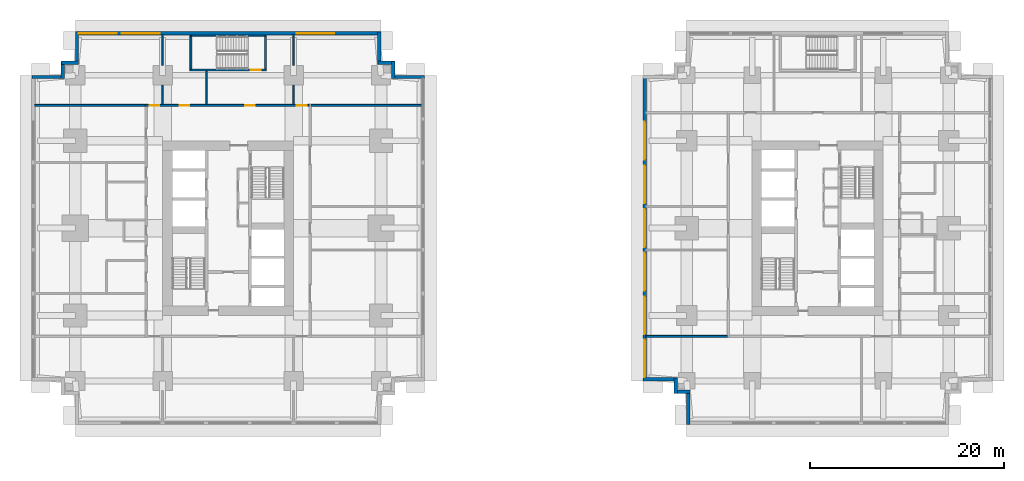
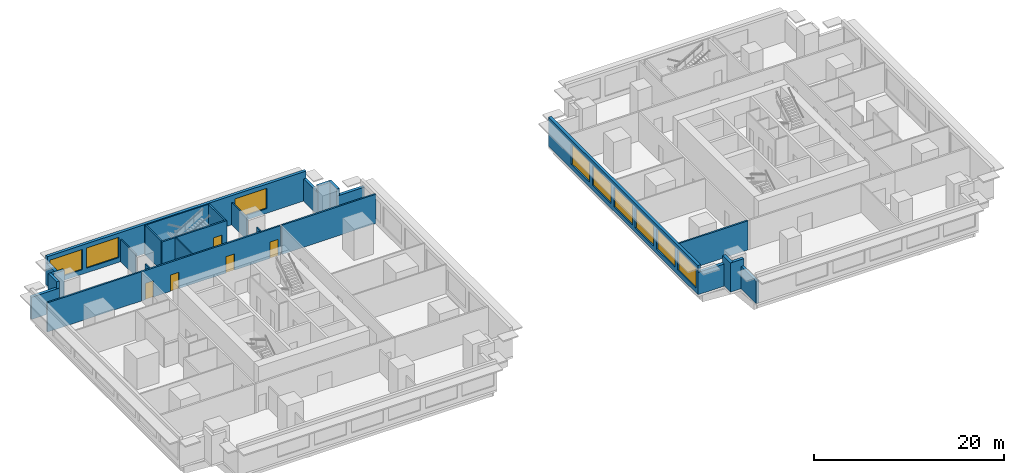
# One storey, part 5 of 11: 27 walls, 9 windows, 5 doors, 14 openings.
"""IFC4 building model written with IfcOpenShell, lengths in metres."""

from ifc_helpers import new_model, si_unit, direction, frame, frame_2d, origin, place, context, subcontext, project, spatial, rectangle, extrude, material, layer, layer_set, type_object, element, fill, save


model = new_model("IFC4")

# Units and contexts
model_context = context("Model", 3, precision=1e-05, world=origin(), true_north=direction((0.0, 1.0)))
body_context = subcontext(model_context, "Body", "Model", "MODEL_VIEW")
ifc_project = project(units=[si_unit("LENGTHUNIT", "METRE"), si_unit("AREAUNIT", "SQUARE_METRE"), si_unit("VOLUMEUNIT", "CUBIC_METRE"), si_unit("PLANEANGLEUNIT", "RADIAN"), si_unit("MASSUNIT", "GRAM", prefix="KILO")], contexts=[model_context])

# Site, building, storey
site_placement = place(None, origin())
site = spatial("IfcSite", under=ifc_project, at=site_placement, CompositionType="ELEMENT")
building_placement = place(site_placement, origin())
building = spatial("IfcBuilding", under=site, at=building_placement, Name="Namib Vertical Campus", CompositionType="ELEMENT")
storey_placement = place(building_placement, frame((0.0, 0.0, 49.0)))
storey = spatial("IfcBuildingStorey", under=building, at=storey_placement, Name="L11", CompositionType="ELEMENT", Elevation=49.0)

# Wall, openings, doors
ifc_material_1 = material(Name="Concrete masonry", Category="masonry")
ifc_layer_1 = layer(ifc_material_1, 0.199951171875)
ifc_layer_set_1 = layer_set([ifc_layer_1], Name="Corridor wall 200")
wall_type_1 = type_object("IfcWallType", Name="Corridor wall 200", PredefinedType="SOLIDWALL", material=ifc_layer_set_1)
wall_1_placement = place(storey_placement, frame((28.60009765625, 32.89990234375, 0.0), z_axis=(0.0, 0.0, 1.0), x_axis=(-1.0, 0.0, 0.0)))
wall_1 = element("IfcWall", 1, at=wall_1_placement, inside=storey, type_object=wall_type_1, Name="Corridor wall A L11 CN", PredefinedType="SOLIDWALL", context=body_context, shape_type="SweptSolid", body=[
    extrude(rectangle(XDim=16.900146484375, YDim=0.199951171875, at=frame_2d((8.4501953125, 0.0))), origin(), (0.0, 0.0, 1.0), 3.75),
])
opening_1_placement = place(wall_1_placement, frame((15.425048828125, 0.0, 0.0)))
opening_1 = element("IfcOpeningElement", 2, at=opening_1_placement, cuts=wall_1, Name="Opening CD1", PredefinedType="OPENING", context=body_context, shape_type="SweptSolid", body=[
    extrude(rectangle(XDim=1.0, YDim=2.10009765625, at=frame_2d((0.5, 1.050048828125))), frame((0.0, 0.10986328125, 0.0), z_axis=(0.0, -1.0, 0.0), x_axis=(1.0, 0.0, 0.0)), (0.0, 0.0, 1.0), 0.219970703125),
])
opening_2_placement = place(wall_1_placement, frame((12.35009765625, 0.0, 0.0)))
opening_2 = element("IfcOpeningElement", 3, at=opening_2_placement, cuts=wall_1, Name="Opening CD1", PredefinedType="OPENING", context=body_context, shape_type="SweptSolid", body=[
    extrude(rectangle(XDim=1.0, YDim=2.10009765625, at=frame_2d((0.5, 1.050048828125))), frame((0.0, 0.10986328125, 0.0), z_axis=(0.0, -1.0, 0.0), x_axis=(1.0, 0.0, 0.0)), (0.0, 0.0, 1.0), 0.219970703125),
])
opening_3_placement = place(wall_1_placement, frame((5.60009765625, 0.0, 0.0)))
opening_3 = element("IfcOpeningElement", 4, at=opening_3_placement, cuts=wall_1, Name="Opening CD1", PredefinedType="OPENING", context=body_context, shape_type="SweptSolid", body=[
    extrude(rectangle(XDim=1.0, YDim=2.10009765625, at=frame_2d((0.5, 1.050048828125))), frame((0.0, 0.10986328125, 0.0), z_axis=(0.0, -1.0, 0.0), x_axis=(1.0, 0.0, 0.0)), (0.0, 0.0, 1.0), 0.219970703125),
])
opening_4_placement = place(wall_1_placement, frame((0.27490234375, 0.0, 0.0)))
opening_4 = element("IfcOpeningElement", 5, at=opening_4_placement, cuts=wall_1, Name="Opening CD1", PredefinedType="OPENING", context=body_context, shape_type="SweptSolid", body=[
    extrude(rectangle(XDim=1.0, YDim=2.10009765625, at=frame_2d((0.5, 1.050048828125))), frame((0.0, 0.10986328125, 0.0), z_axis=(0.0, -1.0, 0.0), x_axis=(1.0, 0.0, 0.0)), (0.0, 0.0, 1.0), 0.219970703125),
])
ifc_material_2 = material(Name="Timber fire door leaf", Category="wood")
door_type_1 = type_object("IfcDoorType", Name="Corridor door 1000x2100 20 min", OperationType="SINGLE_SWING_LEFT", PredefinedType="DOOR", material=ifc_material_2)
door_1_placement = place(opening_1_placement, frame((1.0, 0.0, 0.0), z_axis=(0.0, 0.0, 1.0), x_axis=(-1.0, 0.0, 0.0)))
door_1 = element("IfcDoor", 6, at=door_1_placement, inside=storey, type_object=door_type_1, Name="Door CD1 A11-07", OperationType="SINGLE_SWING_RIGHT", OverallHeight=2.10009765625, OverallWidth=1.0, PredefinedType="DOOR", context=body_context, shape_type="SweptSolid", body=[
    extrude(rectangle(XDim=1.0, YDim=2.10009765625, at=frame_2d((0.5, 1.050048828125))), frame((0.0, 0.02490234375, 0.0), z_axis=(0.0, -1.0, 0.0), x_axis=(1.0, 0.0, 0.0)), (0.0, 0.0, 1.0), 0.050048828125),
])
fill(opening_1, door_1)
door_2_placement = place(opening_2_placement, frame((1.0, 0.0, 0.0), z_axis=(0.0, 0.0, 1.0), x_axis=(-1.0, 0.0, 0.0)))
door_2 = element("IfcDoor", 7, at=door_2_placement, inside=storey, type_object=door_type_1, Name="Door CD1 A11-08", OperationType="SINGLE_SWING_RIGHT", OverallHeight=2.10009765625, OverallWidth=1.0, PredefinedType="DOOR", context=body_context, shape_type="SweptSolid", body=[
    extrude(rectangle(XDim=1.0, YDim=2.10009765625, at=frame_2d((0.5, 1.050048828125))), frame((0.0, 0.02490234375, 0.0), z_axis=(0.0, -1.0, 0.0), x_axis=(1.0, 0.0, 0.0)), (0.0, 0.0, 1.0), 0.050048828125),
])
fill(opening_2, door_2)
door_3_placement = place(opening_3_placement, frame((1.0, 0.0, 0.0), z_axis=(0.0, 0.0, 1.0), x_axis=(-1.0, 0.0, 0.0)))
door_3 = element("IfcDoor", 8, at=door_3_placement, inside=storey, type_object=door_type_1, Name="Door CD1 A11-09", OperationType="SINGLE_SWING_RIGHT", OverallHeight=2.10009765625, OverallWidth=1.0, PredefinedType="DOOR", context=body_context, shape_type="SweptSolid", body=[
    extrude(rectangle(XDim=1.0, YDim=2.10009765625, at=frame_2d((0.5, 1.050048828125))), frame((0.0, 0.02490234375, 0.0), z_axis=(0.0, -1.0, 0.0), x_axis=(1.0, 0.0, 0.0)), (0.0, 0.0, 1.0), 0.050048828125),
])
fill(opening_3, door_3)
door_4_placement = place(opening_4_placement, frame((1.0, 0.0, 0.0), z_axis=(0.0, 0.0, 1.0), x_axis=(-1.0, 0.0, 0.0)))
door_4 = element("IfcDoor", 9, at=door_4_placement, inside=storey, type_object=door_type_1, Name="Door CD1 A11-10", OperationType="SINGLE_SWING_LEFT", OverallHeight=2.10009765625, OverallWidth=1.0, PredefinedType="DOOR", context=body_context, shape_type="SweptSolid", body=[
    extrude(rectangle(XDim=1.0, YDim=2.10009765625, at=frame_2d((0.5, 1.050048828125))), frame((0.0, 0.02490234375, 0.0), z_axis=(0.0, -1.0, 0.0), x_axis=(1.0, 0.0, 0.0)), (0.0, 0.0, 1.0), 0.050048828125),
])
fill(opening_4, door_4)

# Walls
for number, where, z_axis, x_axis, name in (
    (10, (0.300048828125, 32.89990234375, 0.0), (0.0, 0.0, 1.0), (1.0, 0.0, 0.0), "Partition A L11 BNW"),
    (11, (28.800048828125, 32.89990234375, 0.0), (0.0, 0.0, 1.0), (1.0, 0.0, 0.0), "Partition A L11 BNE"),
):
    element("IfcWall", number, at=place(storey_placement, frame(where, z_axis=z_axis, x_axis=x_axis)), inside=storey, type_object=wall_type_1, Name=name, PredefinedType="SOLIDWALL", context=body_context, shape_type="SweptSolid", body=[
        extrude(rectangle(XDim=11.39990234375, YDim=0.199951171875, at=frame_2d((5.699951171875, 0.0))), origin(), (0.0, 0.0, 1.0), 3.75),
    ])
wall_2_placement = place(storey_placement, frame((63.300048828125, 9.10009765625, 0.0), z_axis=(0.0, 0.0, 1.0), x_axis=(1.0, 0.0, 0.0)))
element("IfcWall", 12, at=wall_2_placement, inside=storey, type_object=wall_type_1, Name="Partition B L11 BSW", PredefinedType="SOLIDWALL", context=body_context, shape_type="SweptSolid", body=[
    extrude(rectangle(XDim=8.39990234375, YDim=0.199951171875, at=frame_2d((4.199951171875, 0.0))), origin(), (0.0, 0.0, 1.0), 3.75),
])
ifc_material_3 = material(Name="Concrete C40/50", Category="concrete")
ifc_layer_2 = layer(ifc_material_3, 0.35009765625)
ifc_layer_set_2 = layer_set([ifc_layer_2], Name="Concrete C40/50")
wall_type_2 = type_object("IfcWallType", Name="External wall 350 bush-hammered concrete", PredefinedType="STANDARD", material=ifc_layer_set_2)
wall_3_placement = place(storey_placement, frame((40.47998046875, 35.824951171875, 0.0), z_axis=(0.0, 0.0, 1.0), x_axis=(-1.0, 0.0, 0.0)))
element("IfcWall", 13, at=wall_3_placement, inside=storey, type_object=wall_type_2, Name="External wall L11 F07", PredefinedType="STANDARD", context=body_context, shape_type="SweptSolid", body=[
    extrude(rectangle(XDim=3.35986328125, YDim=0.35009765625, at=frame_2d((1.679931640625, 0.0))), origin(), (0.0, 0.0, 1.0), 2.85009765625),
])
for number, where, z_axis, x_axis, name in (
    (14, (37.27490234375, 35.669921875, 0.0), (0.0, 0.0, 1.0), (0.0, 1.0, 0.0), "External wall L11 F08"),
    (15, (37.429931640625, 37.27490234375, 0.0), (0.0, 0.0, 1.0), (-1.0, 0.0, 0.0), "External wall L11 F09"),
):
    element("IfcWall", number, at=place(storey_placement, frame(where, z_axis=z_axis, x_axis=x_axis)), inside=storey, type_object=wall_type_2, Name=name, PredefinedType="STANDARD", context=body_context, shape_type="SweptSolid", body=[
        extrude(rectangle(XDim=1.760009765625, YDim=0.35009765625, at=frame_2d((0.8798828125, 0.0))), origin(), (0.0, 0.0, 1.0), 3.75),
    ])
wall_4_placement = place(storey_placement, frame((35.824951171875, 37.1201171875, 0.0), z_axis=(0.0, 0.0, 1.0), x_axis=(0.0, 1.0, 0.0)))
element("IfcWall", 16, at=wall_4_placement, inside=storey, type_object=wall_type_2, Name="External wall L11 F10", PredefinedType="STANDARD", context=body_context, shape_type="SweptSolid", body=[
    extrude(rectangle(XDim=3.35986328125, YDim=0.35009765625, at=frame_2d((1.679931640625, 0.0))), origin(), (0.0, 0.0, 1.0), 2.85009765625),
])

# Wall, openings, windows
wall_5_placement = place(storey_placement, frame((35.97998046875, 40.324951171875, 0.0), z_axis=(0.0, 0.0, 1.0), x_axis=(-1.0, 0.0, 0.0)))
wall_5 = element("IfcWall", 17, at=wall_5_placement, inside=storey, type_object=wall_type_2, Name="External wall L11 F11", PredefinedType="STANDARD", context=body_context, shape_type="SweptSolid", body=[
    extrude(rectangle(XDim=31.4599609375, YDim=0.35009765625, at=frame_2d((15.72998046875, 0.0))), origin(), (0.0, 0.0, 1.0), 3.75),
])
opening_5_placement = place(wall_5_placement, frame((27.2099609375, 0.0, 0.60009765625)))
opening_5 = element("IfcOpeningElement", 18, at=opening_5_placement, cuts=wall_5, Name="Opening W2", PredefinedType="OPENING", context=body_context, shape_type="SweptSolid", body=[
    extrude(rectangle(XDim=3.89990234375, YDim=2.60009765625, at=frame_2d((1.949951171875, 1.300048828125))), frame((0.0, 0.18505859375, 0.0), z_axis=(0.0, -1.0, 0.0), x_axis=(1.0, 0.0, 0.0)), (0.0, 0.0, 1.0), 0.3701171875),
])
opening_6_placement = place(wall_5_placement, frame((22.780029296875, 0.0, 0.60009765625)))
opening_6 = element("IfcOpeningElement", 19, at=opening_6_placement, cuts=wall_5, Name="Opening W2", PredefinedType="OPENING", context=body_context, shape_type="SweptSolid", body=[
    extrude(rectangle(XDim=3.89990234375, YDim=2.60009765625, at=frame_2d((1.949951171875, 1.300048828125))), frame((0.0, 0.18505859375, 0.0), z_axis=(0.0, -1.0, 0.0), x_axis=(1.0, 0.0, 0.0)), (0.0, 0.0, 1.0), 0.3701171875),
])
opening_7_placement = place(wall_5_placement, frame((4.780029296875, 0.0, 0.60009765625)))
opening_7 = element("IfcOpeningElement", 20, at=opening_7_placement, cuts=wall_5, Name="Opening W2", PredefinedType="OPENING", context=body_context, shape_type="SweptSolid", body=[
    extrude(rectangle(XDim=3.89990234375, YDim=2.60009765625, at=frame_2d((1.949951171875, 1.300048828125))), frame((0.0, 0.18505859375, 0.0), z_axis=(0.0, -1.0, 0.0), x_axis=(1.0, 0.0, 0.0)), (0.0, 0.0, 1.0), 0.3701171875),
])
ifc_material_4 = material(Name="Dark tinted glass in black aluminium frame", Category="aluminium")
window_type = type_object("IfcWindowType", Name="Ribbon window 3900x2600", PartitioningType="SINGLE_PANEL", PredefinedType="WINDOW", material=ifc_material_4)
window_1_placement = place(opening_5_placement, origin())
window_1 = element("IfcWindow", 21, at=window_1_placement, inside=storey, type_object=window_type, Name="Window W2 L11 F11-1", OverallHeight=2.60009765625, OverallWidth=3.89990234375, PartitioningType="SINGLE_PANEL", PredefinedType="WINDOW", context=body_context, shape_type="SweptSolid", body=[
    extrude(rectangle(XDim=3.89990234375, YDim=2.60009765625, at=frame_2d((1.949951171875, 1.300048828125))), frame((0.0, 0.030029296875, 0.0), z_axis=(0.0, -1.0, 0.0), x_axis=(1.0, 0.0, 0.0)), (0.0, 0.0, 1.0), 0.06005859375),
])
fill(opening_5, window_1)
window_2_placement = place(opening_6_placement, origin())
window_2 = element("IfcWindow", 22, at=window_2_placement, inside=storey, type_object=window_type, Name="Window W2 L11 F11-2", OverallHeight=2.60009765625, OverallWidth=3.89990234375, PartitioningType="SINGLE_PANEL", PredefinedType="WINDOW", context=body_context, shape_type="SweptSolid", body=[
    extrude(rectangle(XDim=3.89990234375, YDim=2.60009765625, at=frame_2d((1.949951171875, 1.300048828125))), frame((0.0, 0.030029296875, 0.0), z_axis=(0.0, -1.0, 0.0), x_axis=(1.0, 0.0, 0.0)), (0.0, 0.0, 1.0), 0.06005859375),
])
fill(opening_6, window_2)
window_3_placement = place(opening_7_placement, origin())
window_3 = element("IfcWindow", 23, at=window_3_placement, inside=storey, type_object=window_type, Name="Window W2 L11 F11-6", OverallHeight=2.60009765625, OverallWidth=3.89990234375, PartitioningType="SINGLE_PANEL", PredefinedType="WINDOW", context=body_context, shape_type="SweptSolid", body=[
    extrude(rectangle(XDim=3.89990234375, YDim=2.60009765625, at=frame_2d((1.949951171875, 1.300048828125))), frame((0.0, 0.030029296875, 0.0), z_axis=(0.0, -1.0, 0.0), x_axis=(1.0, 0.0, 0.0)), (0.0, 0.0, 1.0), 0.06005859375),
])
fill(opening_7, window_3)

# Walls
wall_6_placement = place(storey_placement, frame((4.675048828125, 40.47998046875, 0.0), z_axis=(0.0, 0.0, 1.0), x_axis=(0.0, -1.0, 0.0)))
element("IfcWall", 24, at=wall_6_placement, inside=storey, type_object=wall_type_2, Name="External wall L11 F12", PredefinedType="STANDARD", context=body_context, shape_type="SweptSolid", body=[
    extrude(rectangle(XDim=3.35986328125, YDim=0.35009765625, at=frame_2d((1.679931640625, 0.0))), origin(), (0.0, 0.0, 1.0), 2.85009765625),
])
for number, where, z_axis, x_axis, name in (
    (25, (4.830078125, 37.27490234375, 0.0), (0.0, 0.0, 1.0), (-1.0, 0.0, 0.0), "External wall L11 F13"),
    (26, (3.22509765625, 37.429931640625, 0.0), (0.0, 0.0, 1.0), (0.0, -1.0, 0.0), "External wall L11 F14"),
):
    element("IfcWall", number, at=place(storey_placement, frame(where, z_axis=z_axis, x_axis=x_axis)), inside=storey, type_object=wall_type_2, Name=name, PredefinedType="STANDARD", context=body_context, shape_type="SweptSolid", body=[
        extrude(rectangle(XDim=1.760009765625, YDim=0.35009765625, at=frame_2d((0.8798828125, 0.0))), origin(), (0.0, 0.0, 1.0), 3.75),
    ])
wall_7_placement = place(storey_placement, frame((3.3798828125, 35.824951171875, 0.0), z_axis=(0.0, 0.0, 1.0), x_axis=(-1.0, 0.0, 0.0)))
element("IfcWall", 27, at=wall_7_placement, inside=storey, type_object=wall_type_2, Name="External wall L11 F15", PredefinedType="STANDARD", context=body_context, shape_type="SweptSolid", body=[
    extrude(rectangle(XDim=3.35986328125, YDim=0.35009765625, at=frame_2d((1.679931640625, 0.0))), origin(), (0.0, 0.0, 1.0), 2.85009765625),
])

# Wall, openings, windows
wall_8_placement = place(storey_placement, frame((63.175048828125, 35.97998046875, 0.0), z_axis=(0.0, 0.0, 1.0), x_axis=(0.0, -1.0, 0.0)))
wall_8 = element("IfcWall", 28, at=wall_8_placement, inside=storey, type_object=wall_type_2, Name="External wall L11 F16", PredefinedType="STANDARD", context=body_context, shape_type="SweptSolid", body=[
    extrude(rectangle(XDim=31.4599609375, YDim=0.35009765625, at=frame_2d((15.72998046875, 0.0))), origin(), (0.0, 0.0, 1.0), 3.75),
])
opening_8_placement = place(wall_8_placement, frame((27.2099609375, 0.0, 0.60009765625)))
opening_8 = element("IfcOpeningElement", 29, at=opening_8_placement, cuts=wall_8, Name="Opening W2", PredefinedType="OPENING", context=body_context, shape_type="SweptSolid", body=[
    extrude(rectangle(XDim=3.89990234375, YDim=2.60009765625, at=frame_2d((1.949951171875, 1.300048828125))), frame((0.0, 0.18505859375, 0.0), z_axis=(0.0, -1.0, 0.0), x_axis=(1.0, 0.0, 0.0)), (0.0, 0.0, 1.0), 0.3701171875),
])
opening_9_placement = place(wall_8_placement, frame((22.780029296875, 0.0, 0.60009765625)))
opening_9 = element("IfcOpeningElement", 30, at=opening_9_placement, cuts=wall_8, Name="Opening W2", PredefinedType="OPENING", context=body_context, shape_type="SweptSolid", body=[
    extrude(rectangle(XDim=3.89990234375, YDim=2.60009765625, at=frame_2d((1.949951171875, 1.300048828125))), frame((0.0, 0.18505859375, 0.0), z_axis=(0.0, -1.0, 0.0), x_axis=(1.0, 0.0, 0.0)), (0.0, 0.0, 1.0), 0.3701171875),
])
opening_10_placement = place(wall_8_placement, frame((18.280029296875, 0.0, 0.60009765625)))
opening_10 = element("IfcOpeningElement", 31, at=opening_10_placement, cuts=wall_8, Name="Opening W2", PredefinedType="OPENING", context=body_context, shape_type="SweptSolid", body=[
    extrude(rectangle(XDim=3.89990234375, YDim=2.60009765625, at=frame_2d((1.949951171875, 1.300048828125))), frame((0.0, 0.18505859375, 0.0), z_axis=(0.0, -1.0, 0.0), x_axis=(1.0, 0.0, 0.0)), (0.0, 0.0, 1.0), 0.3701171875),
])
opening_11_placement = place(wall_8_placement, frame((13.780029296875, 0.0, 0.60009765625)))
opening_11 = element("IfcOpeningElement", 32, at=opening_11_placement, cuts=wall_8, Name="Opening W2", PredefinedType="OPENING", context=body_context, shape_type="SweptSolid", body=[
    extrude(rectangle(XDim=3.89990234375, YDim=2.60009765625, at=frame_2d((1.949951171875, 1.300048828125))), frame((0.0, 0.18505859375, 0.0), z_axis=(0.0, -1.0, 0.0), x_axis=(1.0, 0.0, 0.0)), (0.0, 0.0, 1.0), 0.3701171875),
])
opening_12_placement = place(wall_8_placement, frame((9.280029296875, 0.0, 0.60009765625)))
opening_12 = element("IfcOpeningElement", 33, at=opening_12_placement, cuts=wall_8, Name="Opening W2", PredefinedType="OPENING", context=body_context, shape_type="SweptSolid", body=[
    extrude(rectangle(XDim=3.89990234375, YDim=2.60009765625, at=frame_2d((1.949951171875, 1.300048828125))), frame((0.0, 0.18505859375, 0.0), z_axis=(0.0, -1.0, 0.0), x_axis=(1.0, 0.0, 0.0)), (0.0, 0.0, 1.0), 0.3701171875),
])
opening_13_placement = place(wall_8_placement, frame((4.780029296875, 0.0, 0.60009765625)))
opening_13 = element("IfcOpeningElement", 34, at=opening_13_placement, cuts=wall_8, Name="Opening W2", PredefinedType="OPENING", context=body_context, shape_type="SweptSolid", body=[
    extrude(rectangle(XDim=3.89990234375, YDim=2.60009765625, at=frame_2d((1.949951171875, 1.300048828125))), frame((0.0, 0.18505859375, 0.0), z_axis=(0.0, -1.0, 0.0), x_axis=(1.0, 0.0, 0.0)), (0.0, 0.0, 1.0), 0.3701171875),
])
window_4_placement = place(opening_8_placement, origin())
window_4 = element("IfcWindow", 35, at=window_4_placement, inside=storey, type_object=window_type, Name="Window W2 L11 F16-1", OverallHeight=2.60009765625, OverallWidth=3.89990234375, PartitioningType="SINGLE_PANEL", PredefinedType="WINDOW", context=body_context, shape_type="SweptSolid", body=[
    extrude(rectangle(XDim=3.89990234375, YDim=2.60009765625, at=frame_2d((1.949951171875, 1.300048828125))), frame((0.0, 0.030029296875, 0.0), z_axis=(0.0, -1.0, 0.0), x_axis=(1.0, 0.0, 0.0)), (0.0, 0.0, 1.0), 0.06005859375),
])
fill(opening_8, window_4)
window_5_placement = place(opening_9_placement, origin())
window_5 = element("IfcWindow", 36, at=window_5_placement, inside=storey, type_object=window_type, Name="Window W2 L11 F16-2", OverallHeight=2.60009765625, OverallWidth=3.89990234375, PartitioningType="SINGLE_PANEL", PredefinedType="WINDOW", context=body_context, shape_type="SweptSolid", body=[
    extrude(rectangle(XDim=3.89990234375, YDim=2.60009765625, at=frame_2d((1.949951171875, 1.300048828125))), frame((0.0, 0.030029296875, 0.0), z_axis=(0.0, -1.0, 0.0), x_axis=(1.0, 0.0, 0.0)), (0.0, 0.0, 1.0), 0.06005859375),
])
fill(opening_9, window_5)
window_6_placement = place(opening_10_placement, origin())
window_6 = element("IfcWindow", 37, at=window_6_placement, inside=storey, type_object=window_type, Name="Window W2 L11 F16-3", OverallHeight=2.60009765625, OverallWidth=3.89990234375, PartitioningType="SINGLE_PANEL", PredefinedType="WINDOW", context=body_context, shape_type="SweptSolid", body=[
    extrude(rectangle(XDim=3.89990234375, YDim=2.60009765625, at=frame_2d((1.949951171875, 1.300048828125))), frame((0.0, 0.030029296875, 0.0), z_axis=(0.0, -1.0, 0.0), x_axis=(1.0, 0.0, 0.0)), (0.0, 0.0, 1.0), 0.06005859375),
])
fill(opening_10, window_6)
window_7_placement = place(opening_11_placement, origin())
window_7 = element("IfcWindow", 38, at=window_7_placement, inside=storey, type_object=window_type, Name="Window W2 L11 F16-4", OverallHeight=2.60009765625, OverallWidth=3.89990234375, PartitioningType="SINGLE_PANEL", PredefinedType="WINDOW", context=body_context, shape_type="SweptSolid", body=[
    extrude(rectangle(XDim=3.89990234375, YDim=2.60009765625, at=frame_2d((1.949951171875, 1.300048828125))), frame((0.0, 0.030029296875, 0.0), z_axis=(0.0, -1.0, 0.0), x_axis=(1.0, 0.0, 0.0)), (0.0, 0.0, 1.0), 0.06005859375),
])
fill(opening_11, window_7)
window_8_placement = place(opening_12_placement, origin())
window_8 = element("IfcWindow", 39, at=window_8_placement, inside=storey, type_object=window_type, Name="Window W2 L11 F16-5", OverallHeight=2.60009765625, OverallWidth=3.89990234375, PartitioningType="SINGLE_PANEL", PredefinedType="WINDOW", context=body_context, shape_type="SweptSolid", body=[
    extrude(rectangle(XDim=3.89990234375, YDim=2.60009765625, at=frame_2d((1.949951171875, 1.300048828125))), frame((0.0, 0.030029296875, 0.0), z_axis=(0.0, -1.0, 0.0), x_axis=(1.0, 0.0, 0.0)), (0.0, 0.0, 1.0), 0.06005859375),
])
fill(opening_12, window_8)
window_9_placement = place(opening_13_placement, origin())
window_9 = element("IfcWindow", 40, at=window_9_placement, inside=storey, type_object=window_type, Name="Window W2 L11 F16-6", OverallHeight=2.60009765625, OverallWidth=3.89990234375, PartitioningType="SINGLE_PANEL", PredefinedType="WINDOW", context=body_context, shape_type="SweptSolid", body=[
    extrude(rectangle(XDim=3.89990234375, YDim=2.60009765625, at=frame_2d((1.949951171875, 1.300048828125))), frame((0.0, 0.030029296875, 0.0), z_axis=(0.0, -1.0, 0.0), x_axis=(1.0, 0.0, 0.0)), (0.0, 0.0, 1.0), 0.06005859375),
])
fill(opening_13, window_9)

# Walls
wall_9_placement = place(storey_placement, frame((63.02001953125, 4.675048828125, 0.0), z_axis=(0.0, 0.0, 1.0), x_axis=(1.0, 0.0, 0.0)))
element("IfcWall", 41, at=wall_9_placement, inside=storey, type_object=wall_type_2, Name="External wall L11 F17", PredefinedType="STANDARD", context=body_context, shape_type="SweptSolid", body=[
    extrude(rectangle(XDim=3.510009765625, YDim=0.35009765625, at=frame_2d((1.7548828125, 0.0))), origin(), (0.0, 0.0, 1.0), 2.85009765625),
])
for number, where, z_axis, x_axis, name in (
    (42, (66.375, 4.830078125, 0.0), (0.0, 0.0, 1.0), (0.0, -1.0, 0.0), "External wall L11 F18"),
    (43, (66.219970703125, 3.375, 0.0), (0.0, 0.0, 1.0), (1.0, 0.0, 0.0), "External wall L11 F19"),
):
    element("IfcWall", number, at=place(storey_placement, frame(where, z_axis=z_axis, x_axis=x_axis)), inside=storey, type_object=wall_type_2, Name=name, PredefinedType="STANDARD", context=body_context, shape_type="SweptSolid", body=[
        extrude(rectangle(XDim=1.610107421875, YDim=0.35009765625, at=frame_2d((0.80517578125, 0.0))), origin(), (0.0, 0.0, 1.0), 3.75),
    ])
wall_10_placement = place(storey_placement, frame((67.675048828125, 3.530029296875, 0.0), z_axis=(0.0, 0.0, 1.0), x_axis=(0.0, -1.0, 0.0)))
element("IfcWall", 44, at=wall_10_placement, inside=storey, type_object=wall_type_2, Name="External wall L11 F20", PredefinedType="STANDARD", context=body_context, shape_type="SweptSolid", body=[
    extrude(rectangle(XDim=3.510009765625, YDim=0.35009765625, at=frame_2d((1.7548828125, 0.0))), origin(), (0.0, 0.0, 1.0), 2.85009765625),
])
ifc_material_5 = material(Name="Gypsum board on steel studs", Category="steel")
ifc_layer_3 = layer(ifc_material_5, 0.14990234375)
ifc_layer_set_3 = layer_set([ifc_layer_3], Name="Gypsum board on steel studs")
wall_type_3 = type_object("IfcWallType", Name="Partition 150", PredefinedType="PARTITIONING", material=ifc_layer_set_3)
wall_11_placement = place(storey_placement, frame((13.5, 33.0, 0.0), z_axis=(0.0, 0.0, 1.0), x_axis=(0.0, 1.0, 0.0)))
element("IfcWall", 45, at=wall_11_placement, inside=storey, type_object=wall_type_3, Name="Partition A L11 PN1", PredefinedType="PARTITIONING", context=body_context, shape_type="SweptSolid", body=[
    extrude(rectangle(XDim=1.97998046875, YDim=0.14990234375, at=frame_2d((0.989990234375, 0.0))), origin(), (0.0, 0.0, 1.0), 2.85009765625),
])
wall_12_placement = place(storey_placement, frame((13.5, 37.02001953125, 0.0), z_axis=(0.0, 0.0, 1.0), x_axis=(0.0, 1.0, 0.0)))
element("IfcWall", 46, at=wall_12_placement, inside=storey, type_object=wall_type_3, Name="Partition A L11 PN1", PredefinedType="PARTITIONING", context=body_context, shape_type="SweptSolid", body=[
    extrude(rectangle(XDim=3.179931640625, YDim=0.14990234375, at=frame_2d((1.58984375, 0.0))), origin(), (0.0, 0.0, 1.0), 2.85009765625),
])
wall_13_placement = place(storey_placement, frame((18.0, 33.0, 0.0), z_axis=(0.0, 0.0, 1.0), x_axis=(0.0, 1.0, 0.0)))
element("IfcWall", 47, at=wall_13_placement, inside=storey, type_object=wall_type_3, Name="Partition A L11 PN2", PredefinedType="PARTITIONING", context=body_context, shape_type="SweptSolid", body=[
    extrude(rectangle(XDim=3.449951171875, YDim=0.14990234375, at=frame_2d((1.72509765625, 0.0))), origin(), (0.0, 0.0, 1.0), 3.75),
])
wall_14_placement = place(storey_placement, frame((27.0, 33.0, 0.0), z_axis=(0.0, 0.0, 1.0), x_axis=(0.0, 1.0, 0.0)))
element("IfcWall", 48, at=wall_14_placement, inside=storey, type_object=wall_type_3, Name="Partition A L11 PN3", PredefinedType="PARTITIONING", context=body_context, shape_type="SweptSolid", body=[
    extrude(rectangle(XDim=1.97998046875, YDim=0.14990234375, at=frame_2d((0.989990234375, 0.0))), origin(), (0.0, 0.0, 1.0), 2.85009765625),
])
wall_15_placement = place(storey_placement, frame((27.0, 37.02001953125, 0.0), z_axis=(0.0, 0.0, 1.0), x_axis=(0.0, 1.0, 0.0)))
element("IfcWall", 49, at=wall_15_placement, inside=storey, type_object=wall_type_3, Name="Partition A L11 PN3", PredefinedType="PARTITIONING", context=body_context, shape_type="SweptSolid", body=[
    extrude(rectangle(XDim=3.179931640625, YDim=0.14990234375, at=frame_2d((1.58984375, 0.0))), origin(), (0.0, 0.0, 1.0), 2.85009765625),
])
ifc_material_6 = material(Name="Concrete C40/50", Category="concrete")
ifc_layer_4 = layer(ifc_material_6, 0.14990234375)
ifc_layer_set_4 = layer_set([ifc_layer_4], Name="Concrete C40/50")
wall_type_4 = type_object("IfcWallType", Name="Stair enclosure wall RC 150", PredefinedType="SOLIDWALL", material=ifc_layer_set_4)
wall_16_placement = place(storey_placement, frame((16.300048828125, 40.074951171875, 0.0), z_axis=(0.0, 0.0, 1.0), x_axis=(1.0, 0.0, 0.0)))
element("IfcWall", 50, at=wall_16_placement, inside=storey, type_object=wall_type_4, Name="Stair enclosure wall A-S3 L11 N", PredefinedType="SOLIDWALL", context=body_context, shape_type="SweptSolid", body=[
    extrude(rectangle(XDim=7.89990234375, YDim=0.14990234375, at=frame_2d((3.949951171875, 0.0))), origin(), (0.0, 0.0, 1.0), 3.75),
])

# Wall, opening, door
ifc_material_7 = material(Name="Concrete C40/50", Category="concrete")
ifc_layer_5 = layer(ifc_material_7, 0.199951171875)
ifc_layer_set_5 = layer_set([ifc_layer_5], Name="Concrete C40/50")
wall_type_5 = type_object("IfcWallType", Name="Stair enclosure wall RC 200", PredefinedType="SOLIDWALL", material=ifc_layer_set_5)
wall_17_placement = place(storey_placement, frame((16.300048828125, 36.550048828125, 0.0), z_axis=(0.0, 0.0, 1.0), x_axis=(1.0, 0.0, 0.0)))
wall_17 = element("IfcWall", 51, at=wall_17_placement, inside=storey, type_object=wall_type_5, Name="Stair enclosure wall A-S3 L11 S", PredefinedType="SOLIDWALL", context=body_context, shape_type="SweptSolid", body=[
    extrude(rectangle(XDim=7.89990234375, YDim=0.199951171875, at=frame_2d((3.949951171875, 0.0))), origin(), (0.0, 0.0, 1.0), 3.75),
])
opening_14_placement = place(wall_17_placement, frame((6.300048828125, 0.0, 0.0)))
opening_14 = element("IfcOpeningElement", 52, at=opening_14_placement, cuts=wall_17, Name="Opening FD1", PredefinedType="OPENING", context=body_context, shape_type="SweptSolid", body=[
    extrude(rectangle(XDim=1.0, YDim=2.10009765625, at=frame_2d((0.5, 1.050048828125))), frame((0.0, 0.10986328125, 0.0), z_axis=(0.0, -1.0, 0.0), x_axis=(1.0, 0.0, 0.0)), (0.0, 0.0, 1.0), 0.219970703125),
])
ifc_material_8 = material(Name="Steel fire door", Category="steel")
door_type_2 = type_object("IfcDoorType", Name="Fire door 1000x2100", OperationType="SINGLE_SWING_RIGHT", PredefinedType="DOOR", material=ifc_material_8)
door_5_placement = place(opening_14_placement, origin())
door_5 = element("IfcDoor", 53, at=door_5_placement, inside=storey, type_object=door_type_2, Name="Stair door FD1 A L11 S3", OperationType="SINGLE_SWING_RIGHT", OverallHeight=2.10009765625, OverallWidth=1.0, PredefinedType="DOOR", context=body_context, shape_type="SweptSolid", body=[
    extrude(rectangle(XDim=1.0, YDim=2.10009765625, at=frame_2d((0.5, 1.050048828125))), frame((0.0, 0.02490234375, 0.0), z_axis=(0.0, -1.0, 0.0), x_axis=(1.0, 0.0, 0.0)), (0.0, 0.0, 1.0), 0.050048828125),
])
fill(opening_14, door_5)

# Walls
for number, where, z_axis, x_axis, name in (
    (54, (16.39990234375, 36.64990234375, 0.0), (0.0, 0.0, 1.0), (0.0, 1.0, 0.0), "Stair enclosure wall A-S3 L11 W"),
    (55, (24.10009765625, 36.64990234375, 0.0), (0.0, 0.0, 1.0), (0.0, 1.0, 0.0), "Stair enclosure wall A-S3 L11 E"),
):
    element("IfcWall", number, at=place(storey_placement, frame(where, z_axis=z_axis, x_axis=x_axis)), inside=storey, type_object=wall_type_5, Name=name, PredefinedType="SOLIDWALL", context=body_context, shape_type="SweptSolid", body=[
        extrude(rectangle(XDim=3.35009765625, YDim=0.199951171875, at=frame_2d((1.675048828125, 0.0))), origin(), (0.0, 0.0, 1.0), 3.75),
    ])

save(model, "model.ifc")
